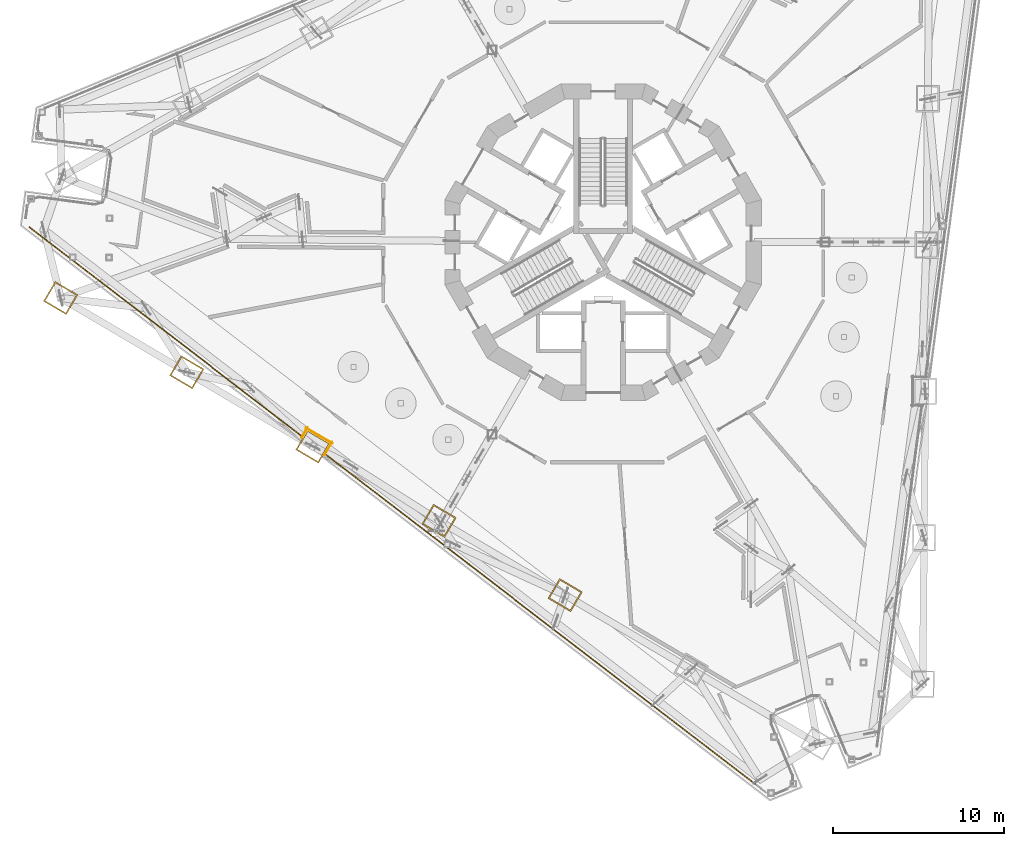
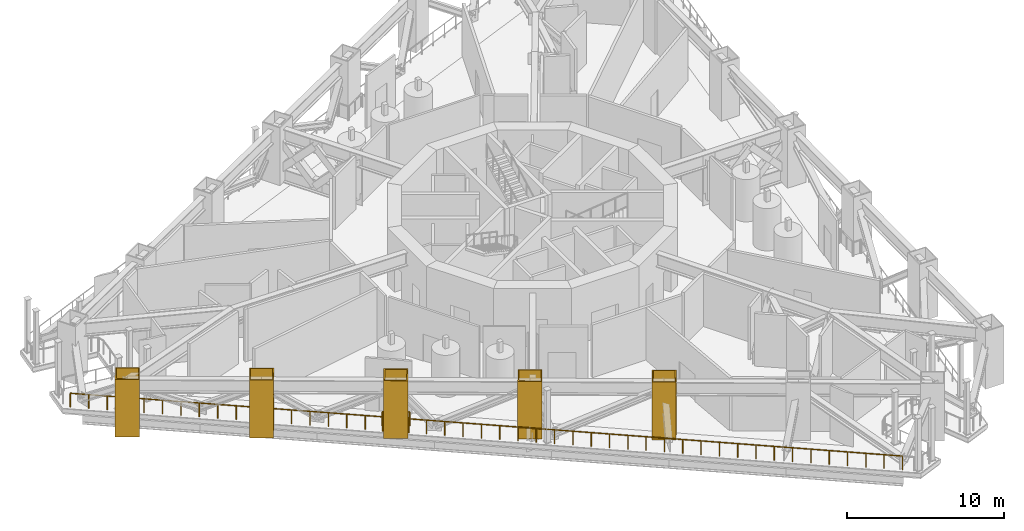
# One storey, part 16 of 23: 5 coverings, 5 railings.
"""IFC4 building model written with IfcOpenShell, lengths in metres."""

from ifc_helpers import new_model, si_unit, direction, frame, origin, origin_2d, place, context, subcontext, project, spatial, polyline, circle, outline, extrude, material, layer, layer_set, type_object, element, save


model = new_model("IFC4")

# Units and contexts
model_context = context("Model", 3, precision=1e-05, world=origin(), true_north=direction((0.0, 1.0)))
body_context = subcontext(model_context, "Body", "Model", "MODEL_VIEW")
ifc_project = project(units=[si_unit("LENGTHUNIT", "METRE"), si_unit("AREAUNIT", "SQUARE_METRE"), si_unit("VOLUMEUNIT", "CUBIC_METRE"), si_unit("PLANEANGLEUNIT", "RADIAN"), si_unit("MASSUNIT", "GRAM", prefix="KILO")], contexts=[model_context])

# Site, building, storey
site_placement = place(None, origin())
site = spatial("IfcSite", under=ifc_project, at=site_placement, CompositionType="ELEMENT")
building_placement = place(site_placement, origin())
building = spatial("IfcBuilding", under=site, at=building_placement, Name="Trine Commons Tower", CompositionType="ELEMENT")
storey_placement = place(building_placement, frame((0.0, 0.0, 156.60009765625)))
storey = spatial("IfcBuildingStorey", under=building, at=storey_placement, Name="L40", CompositionType="ELEMENT", Elevation=156.60009765625)

# Coverings
ifc_material_1 = material(Name="Limestone, honed", Category="masonry")
ifc_layer = layer(ifc_material_1, 0.074951171875)
ifc_layer_set = layer_set([ifc_layer], Name="Limestone, honed")
covering_type = type_object("IfcCoveringType", Name="Limestone column cladding 75", PredefinedType="CLADDING", material=ifc_layer_set)
covering_1_placement = place(storey_placement, origin())
element("IfcCovering", 1, at=covering_1_placement, inside=storey, type_object=covering_type, Name="Limestone pier cladding 5-03", PredefinedType="CLADDING", context=body_context, shape_type="SweptSolid", body=[
    extrude(outline(polyline([(77.447998046875, 42.807861328125), (76.7626953125, 41.644775390625), (78.098388671875, 40.858154296875), (78.78369140625, 42.021240234375), (77.447998046875, 42.807861328125)]), holes=[polyline([(77.474609375, 42.705322265625), (76.865478515625, 41.67138671875), (78.07177734375, 40.960693359375), (78.680908203125, 41.99462890625), (77.474609375, 42.705322265625)])]), origin(), (0.0, 0.0, 1.0), 4.5),
])
covering_2_placement = place(storey_placement, origin())
element("IfcCovering", 2, at=covering_2_placement, inside=storey, type_object=covering_type, Name="Limestone pier cladding 5-04", PredefinedType="CLADDING", context=body_context, shape_type="SweptSolid", body=[
    extrude(outline(polyline([(70.063232421875, 47.15771484375), (69.378173828125, 45.99462890625), (70.713623046875, 45.2080078125), (71.39892578125, 46.37109375), (70.063232421875, 47.15771484375)]), holes=[polyline([(70.08984375, 47.05517578125), (69.480712890625, 46.021240234375), (70.68701171875, 45.310546875), (71.296142578125, 46.344482421875), (70.08984375, 47.05517578125)])]), origin(), (0.0, 0.0, 1.0), 4.5),
])
covering_3_placement = place(storey_placement, origin())
element("IfcCovering", 3, at=covering_3_placement, inside=storey, type_object=covering_type, Name="Limestone pier cladding 5-05", PredefinedType="CLADDING", context=body_context, shape_type="SweptSolid", body=[
    extrude(outline(polyline([(62.6787109375, 51.5078125), (61.993408203125, 50.344482421875), (63.3291015625, 49.557861328125), (64.01416015625, 50.72119140625), (62.6787109375, 51.5078125)]), holes=[polyline([(62.705078125, 51.405029296875), (62.09619140625, 50.37109375), (63.302490234375, 49.660400390625), (63.91162109375, 50.694580078125), (62.705078125, 51.405029296875)])]), origin(), (0.0, 0.0, 1.0), 4.5),
])
covering_4_placement = place(storey_placement, origin())
element("IfcCovering", 4, at=covering_4_placement, inside=storey, type_object=covering_type, Name="Limestone pier cladding 5-06", PredefinedType="CLADDING", context=body_context, shape_type="SweptSolid", body=[
    extrude(outline(polyline([(55.2939453125, 55.857666015625), (54.608642578125, 54.6943359375), (55.9443359375, 53.90771484375), (56.62939453125, 55.071044921875), (55.2939453125, 55.857666015625)]), holes=[polyline([(55.320556640625, 55.7548828125), (54.71142578125, 54.720947265625), (55.917724609375, 54.010498046875), (56.52685546875, 55.04443359375), (55.320556640625, 55.7548828125)])]), origin(), (0.0, 0.0, 1.0), 4.5),
])
covering_5_placement = place(storey_placement, origin())
element("IfcCovering", 5, at=covering_5_placement, inside=storey, type_object=covering_type, Name="Limestone pier cladding 5-07", PredefinedType="CLADDING", context=body_context, shape_type="SweptSolid", body=[
    extrude(outline(polyline([(47.9091796875, 60.20751953125), (47.22412109375, 59.044189453125), (48.5595703125, 58.2578125), (49.244873046875, 59.4208984375), (47.9091796875, 60.20751953125)]), holes=[polyline([(47.935791015625, 60.10498046875), (47.32666015625, 59.07080078125), (48.532958984375, 58.3603515625), (49.14208984375, 59.394287109375), (47.935791015625, 60.10498046875)])]), origin(), (0.0, 0.0, 1.0), 4.5),
])

# Railings
ifc_material_2 = material(Name="Stainless steel rail and posts", Category="steel")
railing_type = type_object("IfcRailingType", Name="Slot edge guard 1100", PredefinedType="GUARDRAIL", material=ifc_material_2)
railing_1_placement = place(storey_placement, frame((63.693359375, 50.05810546875, 0.0)))
element("IfcRailing", 6, at=railing_1_placement, inside=storey, type_object=railing_type, Name="Guard L40-01", PredefinedType="GUARDRAIL", context=body_context, shape_type="SweptSolid", body=[
    extrude(circle(Radius=0.02392578125, at=origin_2d()), frame((0.0, 0.0, 1.076171875), z_axis=(0.50755055253, 0.86162198012, 0.0), x_axis=(-0.86162198012, 0.50755055253, 0.0)), (0.0, 0.0, 1.0), 0.8447265625),
    extrude(circle(Radius=0.02099609375, at=origin_2d()), origin(), (0.0, 0.0, 1.0), 1.052001953125),
    extrude(circle(Radius=0.02099609375, at=origin_2d()), frame((0.4287109375, 0.727783203125, 0.0)), (0.0, 0.0, 1.0), 1.052001953125),
])
railing_2_placement = place(storey_placement, frame((64.139892578125, 50.716796875, 0.0)))
element("IfcRailing", 7, at=railing_2_placement, inside=storey, type_object=railing_type, Name="Guard L40-02", PredefinedType="GUARDRAIL", context=body_context, shape_type="SweptSolid", body=[
    extrude(circle(Radius=0.02392578125, at=origin_2d()), frame((0.0, 0.0, 1.076171875), z_axis=(-0.86167191658, 0.507465770449, 0.0), x_axis=(-0.507465770449, -0.86167191658, 0.0)), (0.0, 0.0, 1.0), 1.771484375),
    extrude(circle(Radius=0.02099609375, at=origin_2d()), origin(), (0.0, 0.0, 1.0), 1.052001953125),
    extrude(circle(Radius=0.02099609375, at=origin_2d()), frame((-0.76318359375, 0.449462890625, 0.0)), (0.0, 0.0, 1.0), 1.052001953125),
    extrude(circle(Radius=0.02099609375, at=origin_2d()), frame((-1.5263671875, 0.89892578125, 0.0)), (0.0, 0.0, 1.0), 1.052001953125),
])
railing_3_placement = place(storey_placement, frame((62.68310546875, 51.633544921875, 0.0)))
element("IfcRailing", 8, at=railing_3_placement, inside=storey, type_object=railing_type, Name="Guard L40-03", PredefinedType="GUARDRAIL", context=body_context, shape_type="SweptSolid", body=[
    extrude(circle(Radius=0.02392578125, at=origin_2d()), frame((0.0, 0.0, 1.076171875), z_axis=(-0.507543468184, -0.861626153215, 0.0), x_axis=(0.861626153215, -0.507543468184, 0.0)), (0.0, 0.0, 1.0), 0.65234375),
    extrude(circle(Radius=0.02099609375, at=origin_2d()), origin(), (0.0, 0.0, 1.0), 1.052001953125),
    extrude(circle(Radius=0.02099609375, at=origin_2d()), frame((-0.3310546875, -0.56201171875, 0.0)), (0.0, 0.0, 1.0), 1.052001953125),
])
railing_4_placement = place(storey_placement, frame((62.4267578125, 51.086181640625, 0.0)))
element("IfcRailing", 9, at=railing_4_placement, inside=storey, type_object=railing_type, Name="Guard L40-04", PredefinedType="GUARDRAIL", context=body_context, shape_type="SweptSolid", body=[
    extrude(circle(Radius=0.02392578125, at=origin_2d()), frame((0.0, 0.0, 1.076171875), z_axis=(-0.793354565994, 0.608759831639, 0.0), x_axis=(-0.608759831639, -0.793354565994, 0.0)), (0.0, 0.0, 1.0), 20.183837890625),
    extrude(circle(Radius=0.02099609375, at=origin_2d()), origin(), (0.0, 0.0, 1.0), 1.052001953125),
    extrude(circle(Radius=0.02099609375, at=origin_2d()), frame((-0.94189453125, 0.72265625, 0.0)), (0.0, 0.0, 1.0), 1.052001953125),
    extrude(circle(Radius=0.02099609375, at=origin_2d()), frame((-1.8837890625, 1.445556640625, 0.0)), (0.0, 0.0, 1.0), 1.052001953125),
    extrude(circle(Radius=0.02099609375, at=origin_2d()), frame((-2.825927734375, 2.168212890625, 0.0)), (0.0, 0.0, 1.0), 1.052001953125),
    extrude(circle(Radius=0.02099609375, at=origin_2d()), frame((-3.767822265625, 2.89111328125, 0.0)), (0.0, 0.0, 1.0), 1.052001953125),
    extrude(circle(Radius=0.02099609375, at=origin_2d()), frame((-4.709716796875, 3.61376953125, 0.0)), (0.0, 0.0, 1.0), 1.052001953125),
    extrude(circle(Radius=0.02099609375, at=origin_2d()), frame((-5.651611328125, 4.336669921875, 0.0)), (0.0, 0.0, 1.0), 1.052001953125),
    extrude(circle(Radius=0.02099609375, at=origin_2d()), frame((-6.593505859375, 5.059326171875, 0.0)), (0.0, 0.0, 1.0), 1.052001953125),
    extrude(circle(Radius=0.02099609375, at=origin_2d()), frame((-7.535400390625, 5.7822265625, 0.0)), (0.0, 0.0, 1.0), 1.052001953125),
    extrude(circle(Radius=0.02099609375, at=origin_2d()), frame((-8.4775390625, 6.5048828125, 0.0)), (0.0, 0.0, 1.0), 1.052001953125),
    extrude(circle(Radius=0.02099609375, at=origin_2d()), frame((-9.41943359375, 7.227783203125, 0.0)), (0.0, 0.0, 1.0), 1.052001953125),
    extrude(circle(Radius=0.02099609375, at=origin_2d()), frame((-10.361328125, 7.950439453125, 0.0)), (0.0, 0.0, 1.0), 1.052001953125),
    extrude(circle(Radius=0.02099609375, at=origin_2d()), frame((-11.30322265625, 8.67333984375, 0.0)), (0.0, 0.0, 1.0), 1.052001953125),
    extrude(circle(Radius=0.02099609375, at=origin_2d()), frame((-12.2451171875, 9.39599609375, 0.0)), (0.0, 0.0, 1.0), 1.052001953125),
    extrude(circle(Radius=0.02099609375, at=origin_2d()), frame((-13.18701171875, 10.118896484375, 0.0)), (0.0, 0.0, 1.0), 1.052001953125),
    extrude(circle(Radius=0.02099609375, at=origin_2d()), frame((-14.129150390625, 10.841552734375, 0.0)), (0.0, 0.0, 1.0), 1.052001953125),
    extrude(circle(Radius=0.02099609375, at=origin_2d()), frame((-15.071044921875, 11.564453125, 0.0)), (0.0, 0.0, 1.0), 1.052001953125),
    extrude(circle(Radius=0.02099609375, at=origin_2d()), frame((-16.012939453125, 12.287109375, 0.0)), (0.0, 0.0, 1.0), 1.052001953125),
])
railing_5_placement = place(storey_placement, frame((88.9453125, 30.73779296875, 0.0)))
element("IfcRailing", 10, at=railing_5_placement, inside=storey, type_object=railing_type, Name="Guard L40-67", PredefinedType="GUARDRAIL", context=body_context, shape_type="SweptSolid", body=[
    extrude(circle(Radius=0.02392578125, at=origin_2d()), frame((0.0, 0.0, 1.076171875), z_axis=(-0.793355564322, 0.608758530585, 0.0), x_axis=(-0.608758530585, -0.793355564322, 0.0)), (0.0, 0.0, 1.0), 31.845947265625),
    extrude(circle(Radius=0.02099609375, at=origin_2d()), origin(), (0.0, 0.0, 1.0), 1.052001953125),
    extrude(circle(Radius=0.02099609375, at=origin_2d()), frame((-0.935791015625, 0.718017578125, 0.0)), (0.0, 0.0, 1.0), 1.052001953125),
    extrude(circle(Radius=0.02099609375, at=origin_2d()), frame((-1.87158203125, 1.43603515625, 0.0)), (0.0, 0.0, 1.0), 1.052001953125),
    extrude(circle(Radius=0.02099609375, at=origin_2d()), frame((-2.80712890625, 2.154052734375, 0.0)), (0.0, 0.0, 1.0), 1.052001953125),
    extrude(circle(Radius=0.02099609375, at=origin_2d()), frame((-3.742919921875, 2.8720703125, 0.0)), (0.0, 0.0, 1.0), 1.052001953125),
    extrude(circle(Radius=0.02099609375, at=origin_2d()), frame((-4.6787109375, 3.590087890625, 0.0)), (0.0, 0.0, 1.0), 1.052001953125),
    extrude(circle(Radius=0.02099609375, at=origin_2d()), frame((-5.614501953125, 4.30810546875, 0.0)), (0.0, 0.0, 1.0), 1.052001953125),
    extrude(circle(Radius=0.02099609375, at=origin_2d()), frame((-6.55029296875, 5.026123046875, 0.0)), (0.0, 0.0, 1.0), 1.052001953125),
    extrude(circle(Radius=0.02099609375, at=origin_2d()), frame((-7.486083984375, 5.744140625, 0.0)), (0.0, 0.0, 1.0), 1.052001953125),
    extrude(circle(Radius=0.02099609375, at=origin_2d()), frame((-8.421630859375, 6.462158203125, 0.0)), (0.0, 0.0, 1.0), 1.052001953125),
    extrude(circle(Radius=0.02099609375, at=origin_2d()), frame((-9.357421875, 7.18017578125, 0.0)), (0.0, 0.0, 1.0), 1.052001953125),
    extrude(circle(Radius=0.02099609375, at=origin_2d()), frame((-10.293212890625, 7.898193359375, 0.0)), (0.0, 0.0, 1.0), 1.052001953125),
    extrude(circle(Radius=0.02099609375, at=origin_2d()), frame((-11.22900390625, 8.6162109375, 0.0)), (0.0, 0.0, 1.0), 1.052001953125),
    extrude(circle(Radius=0.02099609375, at=origin_2d()), frame((-12.164794921875, 9.334228515625, 0.0)), (0.0, 0.0, 1.0), 1.052001953125),
    extrude(circle(Radius=0.02099609375, at=origin_2d()), frame((-13.100341796875, 10.05224609375, 0.0)), (0.0, 0.0, 1.0), 1.052001953125),
    extrude(circle(Radius=0.02099609375, at=origin_2d()), frame((-14.0361328125, 10.770263671875, 0.0)), (0.0, 0.0, 1.0), 1.052001953125),
    extrude(circle(Radius=0.02099609375, at=origin_2d()), frame((-14.971923828125, 11.48828125, 0.0)), (0.0, 0.0, 1.0), 1.052001953125),
    extrude(circle(Radius=0.02099609375, at=origin_2d()), frame((-15.90771484375, 12.206298828125, 0.0)), (0.0, 0.0, 1.0), 1.052001953125),
    extrude(circle(Radius=0.02099609375, at=origin_2d()), frame((-16.843505859375, 12.92431640625, 0.0)), (0.0, 0.0, 1.0), 1.052001953125),
    extrude(circle(Radius=0.02099609375, at=origin_2d()), frame((-17.779052734375, 13.642333984375, 0.0)), (0.0, 0.0, 1.0), 1.052001953125),
    extrude(circle(Radius=0.02099609375, at=origin_2d()), frame((-18.71484375, 14.3603515625, 0.0)), (0.0, 0.0, 1.0), 1.052001953125),
    extrude(circle(Radius=0.02099609375, at=origin_2d()), frame((-19.650634765625, 15.078369140625, 0.0)), (0.0, 0.0, 1.0), 1.052001953125),
    extrude(circle(Radius=0.02099609375, at=origin_2d()), frame((-20.58642578125, 15.79638671875, 0.0)), (0.0, 0.0, 1.0), 1.052001953125),
    extrude(circle(Radius=0.02099609375, at=origin_2d()), frame((-21.522216796875, 16.514404296875, 0.0)), (0.0, 0.0, 1.0), 1.052001953125),
    extrude(circle(Radius=0.02099609375, at=origin_2d()), frame((-22.4580078125, 17.232421875, 0.0)), (0.0, 0.0, 1.0), 1.052001953125),
    extrude(circle(Radius=0.02099609375, at=origin_2d()), frame((-23.3935546875, 17.950439453125, 0.0)), (0.0, 0.0, 1.0), 1.052001953125),
    extrude(circle(Radius=0.02099609375, at=origin_2d()), frame((-24.329345703125, 18.66845703125, 0.0)), (0.0, 0.0, 1.0), 1.052001953125),
    extrude(circle(Radius=0.02099609375, at=origin_2d()), frame((-25.26513671875, 19.386474609375, 0.0)), (0.0, 0.0, 1.0), 1.052001953125),
])

save(model, "model.ifc")
